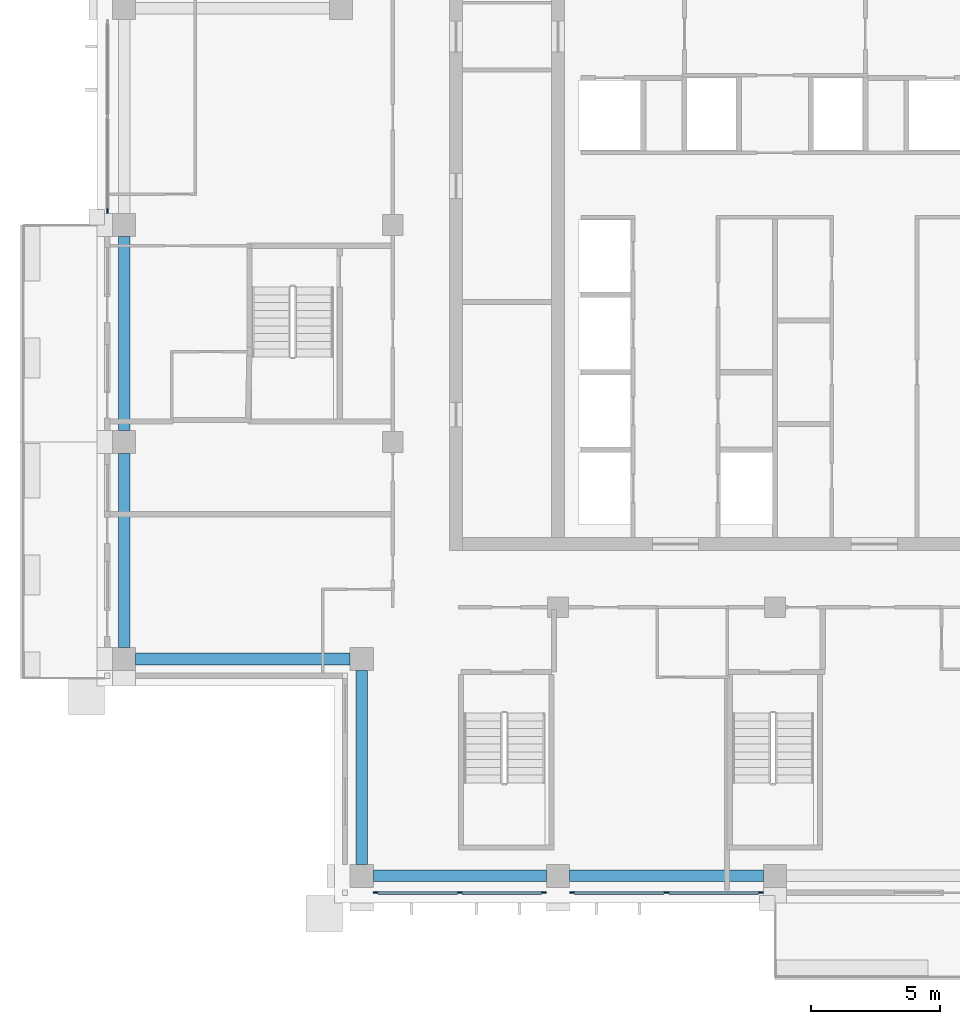
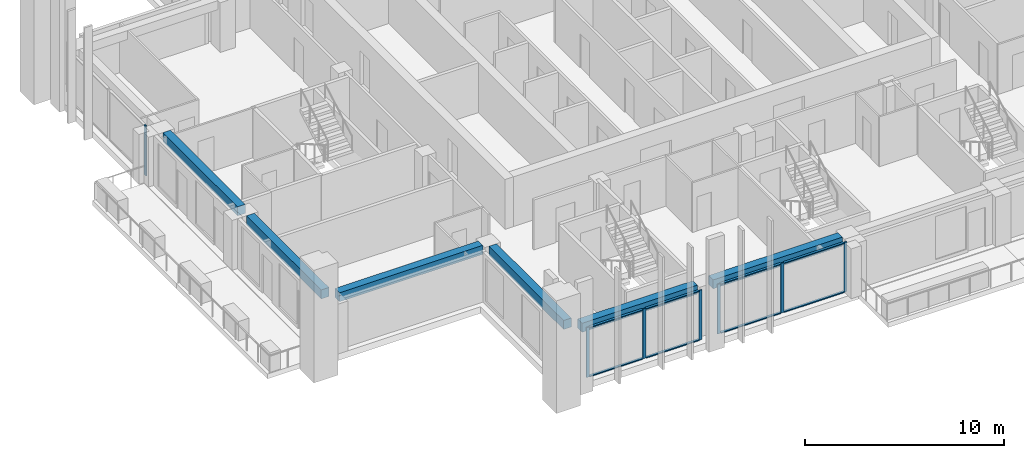
# One storey, part 2 of 18: 15 members, 6 beams, 3 elements without a shape of their own.
"""IFC4 building model written with IfcOpenShell, lengths in metres."""

from ifc_helpers import new_model, si_unit, direction, frame, origin, origin_2d, place, context, subcontext, project, spatial, rectangle, extrude, material, material_profile, profile_set, type_object, element, aggregate, save


model = new_model("IFC4")

# Units and contexts
model_context = context("Model", 3, precision=1e-05, world=origin(), true_north=direction((0.0, 1.0)))
body_context = subcontext(model_context, "Body", "Model", "MODEL_VIEW")
ifc_project = project(units=[si_unit("LENGTHUNIT", "METRE"), si_unit("AREAUNIT", "SQUARE_METRE"), si_unit("VOLUMEUNIT", "CUBIC_METRE"), si_unit("PLANEANGLEUNIT", "RADIAN"), si_unit("MASSUNIT", "GRAM", prefix="KILO")], contexts=[model_context])

# Site, building, storey
site_placement = place(None, origin())
site = spatial("IfcSite", under=ifc_project, at=site_placement, CompositionType="ELEMENT")
building_placement = place(site_placement, origin())
building = spatial("IfcBuilding", under=site, at=building_placement, Name="Vermilion Ogive Tower", CompositionType="ELEMENT")
storey_placement = place(building_placement, frame((0.0, 0.0, 240.699951171875)))
storey = spatial("IfcBuildingStorey", under=building, at=storey_placement, Name="L63", CompositionType="ELEMENT", Elevation=240.699951171875)

# Curtain wall, members
ifc_material_1 = material(Name="Low-iron laminated glazing in aluminium frame", Category="aluminium")
curtain_wall_type = type_object("IfcCurtainWallType", Name="Curtain wall CW7", PredefinedType="NOTDEFINED", material=ifc_material_1)
curtain_wall_1_placement = place(storey_placement, origin())
curtain_wall_1 = element("IfcCurtainWall", 1, at=curtain_wall_1_placement, inside=storey, type_object=curtain_wall_type, Name="Glazed skin S1", PredefinedType="NOTDEFINED")
ifc_material_2 = material(Name="Aluminium mullion", Category="aluminium")
ifc_material_profile_1 = material_profile(ifc_material_2, rectangle(XDim=0.06005859375, YDim=0.179931640625, at=origin_2d()), Name="AL 60x180")
ifc_profile_set_1 = profile_set([ifc_material_profile_1], Name="Aluminium mullion")
member_type_1 = type_object("IfcMemberType", Name="CW7 mullion 60x180", PredefinedType="MULLION", material=ifc_profile_set_1)
member_1_placement = place(storey_placement, frame((-15.4599609375, -21.64990234375, 0.0), z_axis=(0.0, 0.0, 1.0), x_axis=(0.0, 1.0, 0.0)))
member_1 = element("IfcMember", 2, at=member_1_placement, type_object=member_type_1, Name="CW7-S1 mullion 1", PredefinedType="MULLION", context=body_context, shape_type="SweptSolid", body=[
    extrude(rectangle(XDim=0.06005859375, YDim=0.179931640625, at=origin_2d()), origin(), (0.0, 0.0, 1.0), 3.050048828125),
])
member_2_placement = place(storey_placement, frame((-12.199951171875, -21.64990234375, 0.0), z_axis=(0.0, 0.0, 1.0), x_axis=(0.0, 1.0, 0.0)))
member_2 = element("IfcMember", 3, at=member_2_placement, type_object=member_type_1, Name="CW7-S1 mullion 2", PredefinedType="MULLION", context=body_context, shape_type="SweptSolid", body=[
    extrude(rectangle(XDim=0.06005859375, YDim=0.179931640625, at=origin_2d()), origin(), (0.0, 0.0, 1.0), 3.050048828125),
])
member_3_placement = place(storey_placement, frame((-8.93994140625, -21.64990234375, 0.0), z_axis=(0.0, 0.0, 1.0), x_axis=(0.0, 1.0, 0.0)))
member_3 = element("IfcMember", 4, at=member_3_placement, type_object=member_type_1, Name="CW7-S1 mullion 3", PredefinedType="MULLION", context=body_context, shape_type="SweptSolid", body=[
    extrude(rectangle(XDim=0.06005859375, YDim=0.179931640625, at=origin_2d()), origin(), (0.0, 0.0, 1.0), 3.050048828125),
])

curtain_wall_2_placement = place(storey_placement, origin())
curtain_wall_2 = element("IfcCurtainWall", 5, at=curtain_wall_2_placement, inside=storey, type_object=curtain_wall_type, Name="Glazed skin S2", PredefinedType="NOTDEFINED")
member_4_placement = place(storey_placement, frame((-7.860107421875, -21.64990234375, 0.0), z_axis=(0.0, 0.0, 1.0), x_axis=(0.0, 1.0, 0.0)))
member_4 = element("IfcMember", 6, at=member_4_placement, type_object=member_type_1, Name="CW7-S2 mullion 1", PredefinedType="MULLION", context=body_context, shape_type="SweptSolid", body=[
    extrude(rectangle(XDim=0.06005859375, YDim=0.179931640625, at=origin_2d()), origin(), (0.0, 0.0, 1.0), 3.050048828125),
])
member_5_placement = place(storey_placement, frame((-4.199951171875, -21.64990234375, 0.0), z_axis=(0.0, 0.0, 1.0), x_axis=(0.0, 1.0, 0.0)))
member_5 = element("IfcMember", 7, at=member_5_placement, type_object=member_type_1, Name="CW7-S2 mullion 2", PredefinedType="MULLION", context=body_context, shape_type="SweptSolid", body=[
    extrude(rectangle(XDim=0.06005859375, YDim=0.179931640625, at=origin_2d()), origin(), (0.0, 0.0, 1.0), 3.050048828125),
])
member_6_placement = place(storey_placement, frame((-0.5400390625, -21.64990234375, 0.0), z_axis=(0.0, 0.0, 1.0), x_axis=(0.0, 1.0, 0.0)))
member_6 = element("IfcMember", 8, at=member_6_placement, type_object=member_type_1, Name="CW7-S2 mullion 3", PredefinedType="MULLION", context=body_context, shape_type="SweptSolid", body=[
    extrude(rectangle(XDim=0.06005859375, YDim=0.179931640625, at=origin_2d()), origin(), (0.0, 0.0, 1.0), 3.050048828125),
])

# Curtain wall, member
curtain_wall_3_placement = place(storey_placement, origin())
curtain_wall_3 = element("IfcCurtainWall", 9, at=curtain_wall_3_placement, inside=storey, type_object=curtain_wall_type, Name="Glazed skin W1", PredefinedType="NOTDEFINED")
member_7_placement = place(storey_placement, frame((-25.85009765625, 4.739990234375, 0.0), z_axis=(0.0, 0.0, 1.0), x_axis=(1.0, 0.0, 0.0)))
member_7 = element("IfcMember", 10, at=member_7_placement, type_object=member_type_1, Name="CW7-W1 mullion 3", PredefinedType="MULLION", context=body_context, shape_type="SweptSolid", body=[
    extrude(rectangle(XDim=0.06005859375, YDim=0.179931640625, at=origin_2d()), origin(), (0.0, 0.0, 1.0), 3.050048828125),
])
aggregate(curtain_wall_3, [member_7])

# Member
ifc_material_3 = material(Name="Aluminium transom", Category="aluminium")
ifc_material_profile_2 = material_profile(ifc_material_3, rectangle(XDim=0.139892578125, YDim=0.06005859375, at=origin_2d()), Name="AL 60x140")
ifc_profile_set_2 = profile_set([ifc_material_profile_2], Name="Aluminium transom")
member_type_2 = type_object("IfcMemberType", Name="CW7 transom 60x140", PredefinedType="USERDEFINED", material=ifc_profile_set_2)
member_8_placement = place(storey_placement, frame((-15.3701171875, -21.64990234375, 0.030029296875), z_axis=(1.0, 0.0, 0.0), x_axis=(0.0, 1.0, 0.0)))
member_8 = element("IfcMember", 11, at=member_8_placement, type_object=member_type_2, Name="CW7-S1 transom 1.1", ObjectType="TRANSOM", PredefinedType="USERDEFINED", context=body_context, shape_type="SweptSolid", body=[
    extrude(rectangle(XDim=0.139892578125, YDim=0.06005859375, at=origin_2d()), origin(), (0.0, 0.0, 1.0), 3.080078125),
])

member_9_placement = place(storey_placement, frame((-15.3701171875, -21.64990234375, 3.02001953125), z_axis=(1.0, 0.0, 0.0), x_axis=(0.0, 1.0, 0.0)))
member_9 = element("IfcMember", 12, at=member_9_placement, type_object=member_type_2, Name="CW7-S1 transom 1.2", ObjectType="TRANSOM", PredefinedType="USERDEFINED", context=body_context, shape_type="SweptSolid", body=[
    extrude(rectangle(XDim=0.139892578125, YDim=0.06005859375, at=origin_2d()), origin(), (0.0, 0.0, 1.0), 3.080078125),
])

member_10_placement = place(storey_placement, frame((-12.110107421875, -21.64990234375, 0.030029296875), z_axis=(1.0, 0.0, 0.0), x_axis=(0.0, 1.0, 0.0)))
member_10 = element("IfcMember", 13, at=member_10_placement, type_object=member_type_2, Name="CW7-S1 transom 2.1", ObjectType="TRANSOM", PredefinedType="USERDEFINED", context=body_context, shape_type="SweptSolid", body=[
    extrude(rectangle(XDim=0.139892578125, YDim=0.06005859375, at=origin_2d()), origin(), (0.0, 0.0, 1.0), 3.080078125),
])

member_11_placement = place(storey_placement, frame((-12.110107421875, -21.64990234375, 3.02001953125), z_axis=(1.0, 0.0, 0.0), x_axis=(0.0, 1.0, 0.0)))
member_11 = element("IfcMember", 14, at=member_11_placement, type_object=member_type_2, Name="CW7-S1 transom 2.2", ObjectType="TRANSOM", PredefinedType="USERDEFINED", context=body_context, shape_type="SweptSolid", body=[
    extrude(rectangle(XDim=0.139892578125, YDim=0.06005859375, at=origin_2d()), origin(), (0.0, 0.0, 1.0), 3.080078125),
])

aggregate(curtain_wall_1, [member_1, member_2, member_3, member_8, member_9, member_10, member_11])

member_12_placement = place(storey_placement, frame((-7.77001953125, -21.64990234375, 0.030029296875), z_axis=(1.0, 0.0, 0.0), x_axis=(0.0, 1.0, 0.0)))
member_12 = element("IfcMember", 15, at=member_12_placement, type_object=member_type_2, Name="CW7-S2 transom 1.1", ObjectType="TRANSOM", PredefinedType="USERDEFINED", context=body_context, shape_type="SweptSolid", body=[
    extrude(rectangle(XDim=0.139892578125, YDim=0.06005859375, at=origin_2d()), origin(), (0.0, 0.0, 1.0), 3.47998046875),
])

member_13_placement = place(storey_placement, frame((-7.77001953125, -21.64990234375, 3.02001953125), z_axis=(1.0, 0.0, 0.0), x_axis=(0.0, 1.0, 0.0)))
member_13 = element("IfcMember", 16, at=member_13_placement, type_object=member_type_2, Name="CW7-S2 transom 1.2", ObjectType="TRANSOM", PredefinedType="USERDEFINED", context=body_context, shape_type="SweptSolid", body=[
    extrude(rectangle(XDim=0.139892578125, YDim=0.06005859375, at=origin_2d()), origin(), (0.0, 0.0, 1.0), 3.47998046875),
])

member_14_placement = place(storey_placement, frame((-4.110107421875, -21.64990234375, 0.030029296875), z_axis=(1.0, 0.0, 0.0), x_axis=(0.0, 1.0, 0.0)))
member_14 = element("IfcMember", 17, at=member_14_placement, type_object=member_type_2, Name="CW7-S2 transom 2.1", ObjectType="TRANSOM", PredefinedType="USERDEFINED", context=body_context, shape_type="SweptSolid", body=[
    extrude(rectangle(XDim=0.139892578125, YDim=0.06005859375, at=origin_2d()), origin(), (0.0, 0.0, 1.0), 3.480224609375),
])

member_15_placement = place(storey_placement, frame((-4.110107421875, -21.64990234375, 3.02001953125), z_axis=(1.0, 0.0, 0.0), x_axis=(0.0, 1.0, 0.0)))
member_15 = element("IfcMember", 18, at=member_15_placement, type_object=member_type_2, Name="CW7-S2 transom 2.2", ObjectType="TRANSOM", PredefinedType="USERDEFINED", context=body_context, shape_type="SweptSolid", body=[
    extrude(rectangle(XDim=0.139892578125, YDim=0.06005859375, at=origin_2d()), origin(), (0.0, 0.0, 1.0), 3.480224609375),
])

aggregate(curtain_wall_2, [member_4, member_5, member_6, member_12, member_13, member_14, member_15])

# Beams
ifc_material_4 = material(Name="Concrete B45", Category="concrete")
ifc_material_profile_3 = material_profile(ifc_material_4, rectangle(XDim=0.449951171875, YDim=0.550048828125, at=origin_2d()), Name="450 x 550")
ifc_profile_set_3 = profile_set([ifc_material_profile_3], Name="Concrete B45")
beam_type = type_object("IfcBeamType", Name="Edge beam 450 x 550 B45", PredefinedType="BEAM", material=ifc_profile_set_3)
beam_1_placement = place(storey_placement, frame((-15.550048828125, -21.0, 2.775146484375), z_axis=(1.0, 0.0, 0.0), x_axis=(0.0, 1.0, 0.0)))
element("IfcBeam", 19, at=beam_1_placement, inside=storey, type_object=beam_type, Name="L63-EB-1", PredefinedType="BEAM", context=body_context, shape_type="SweptSolid", body=[
    extrude(rectangle(XDim=0.449951171875, YDim=0.550048828125, at=origin_2d()), origin(), (0.0, 0.0, 1.0), 6.699951171875),
])
for number, where, z_axis, x_axis, name in (
    (20, (-7.949951171875, -21.0, 2.775146484375), (1.0, 0.0, 0.0), (0.0, 1.0, 0.0), "L63-EB-2"),
    (21, (-25.199951171875, 3.75, 2.775146484375), (0.0, -1.0, 0.0), (1.0, 0.0, 0.0), "L63-EB-15"),
    (22, (-25.199951171875, -4.64990234375, 2.775146484375), (0.0, -1.0, 0.0), (1.0, 0.0, 0.0), "L63-EB-16"),
):
    element("IfcBeam", number, at=place(storey_placement, frame(where, z_axis=z_axis, x_axis=x_axis)), inside=storey, type_object=beam_type, Name=name, PredefinedType="BEAM", context=body_context, shape_type="SweptSolid", body=[
        extrude(rectangle(XDim=0.449951171875, YDim=0.550048828125, at=origin_2d()), origin(), (0.0, 0.0, 1.0), 7.5),
    ])
beam_2_placement = place(storey_placement, frame((-24.75, -12.60009765625, 2.775146484375), z_axis=(1.0, 0.0, 0.0), x_axis=(0.0, 1.0, 0.0)))
element("IfcBeam", 23, at=beam_2_placement, inside=storey, type_object=beam_type, Name="L63-EB-17", PredefinedType="BEAM", context=body_context, shape_type="SweptSolid", body=[
    extrude(rectangle(XDim=0.449951171875, YDim=0.550048828125, at=origin_2d()), origin(), (0.0, 0.0, 1.0), 8.300048828125),
])
beam_3_placement = place(storey_placement, frame((-16.0, -13.050048828125, 2.775146484375), z_axis=(0.0, -1.0, 0.0), x_axis=(1.0, 0.0, 0.0)))
element("IfcBeam", 24, at=beam_3_placement, inside=storey, type_object=beam_type, Name="L63-EB-18", PredefinedType="BEAM", context=body_context, shape_type="SweptSolid", body=[
    extrude(rectangle(XDim=0.449951171875, YDim=0.550048828125, at=origin_2d()), origin(), (0.0, 0.0, 1.0), 7.5),
])

save(model, "model.ifc")
